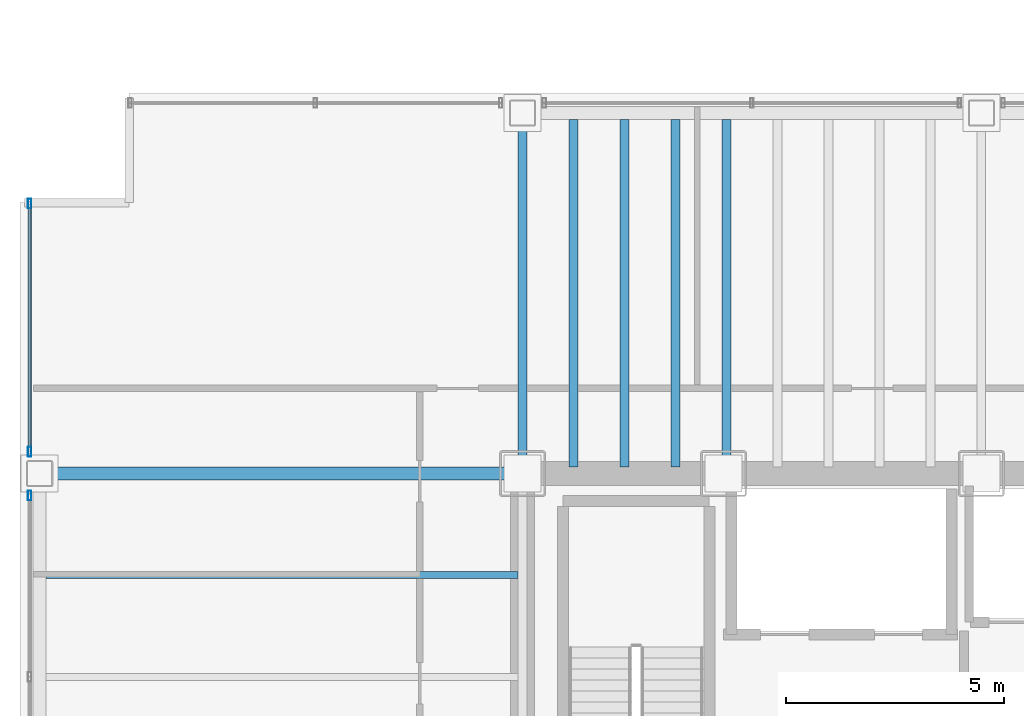
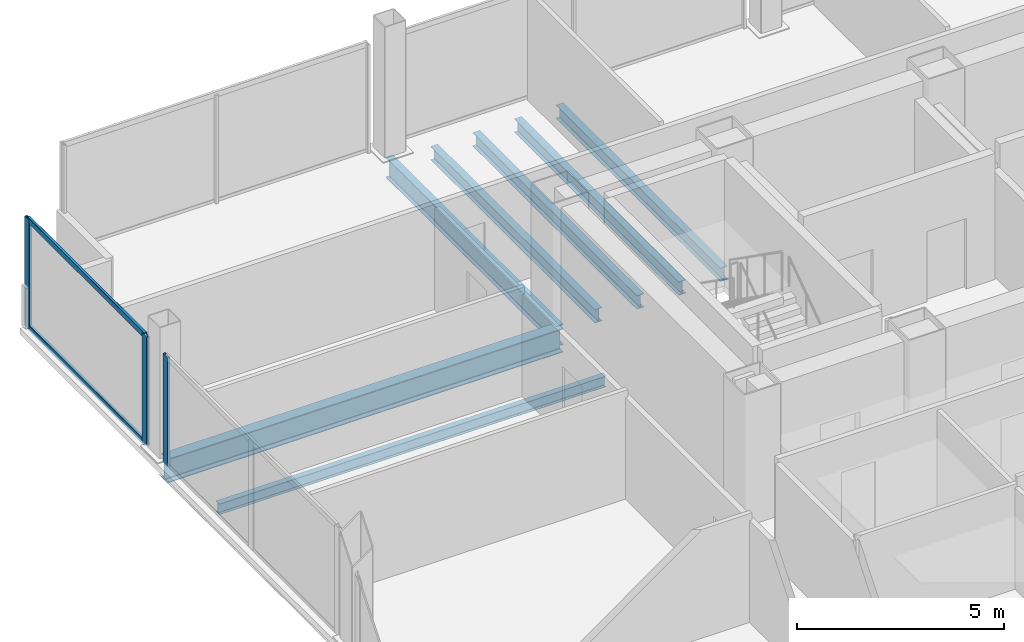
# One storey, part 15 of 30: 7 beams, 5 members, 2 elements without a shape of their own.
"""IFC4 building model written with IfcOpenShell, lengths in metres."""

from ifc_helpers import new_model, si_unit, direction, frame, origin, origin_2d, place, context, subcontext, project, spatial, hollow_rectangle, i_section, extrude, material, material_profile, profile_set, type_object, element, aggregate, save


model = new_model("IFC4")

# Units and contexts
model_context = context("Model", 3, precision=1e-05, world=origin(), true_north=direction((0.0, 1.0)))
body_context = subcontext(model_context, "Body", "Model", "MODEL_VIEW")
ifc_project = project(units=[si_unit("LENGTHUNIT", "METRE"), si_unit("AREAUNIT", "SQUARE_METRE"), si_unit("VOLUMEUNIT", "CUBIC_METRE"), si_unit("PLANEANGLEUNIT", "RADIAN"), si_unit("MASSUNIT", "GRAM", prefix="KILO")], contexts=[model_context])

# Site, building, storey
site_placement = place(None, origin())
site = spatial("IfcSite", under=ifc_project, at=site_placement, CompositionType="ELEMENT")
building_placement = place(site_placement, origin())
building = spatial("IfcBuilding", under=site, at=building_placement, Name="Noeulbin Bourse Tower", CompositionType="ELEMENT")
storey_placement = place(building_placement, frame((0.0, 0.0, 26.5)))
storey = spatial("IfcBuildingStorey", under=building, at=storey_placement, Name="L06", CompositionType="ELEMENT", Elevation=26.5)

# Beams
ifc_material_1 = material(Name="Steel S355", Category="steel")
ifc_material_profile_1 = material_profile(ifc_material_1, i_section(OverallWidth=0.199951171875, OverallDepth=0.60009765625, WebThickness=0.010986328125, FlangeThickness=0.01708984375, FilletRadius=0.02197265625, at=origin_2d()), Name="H-600x200x11x17", Category="LoadBearing")
ifc_profile_set_1 = profile_set([ifc_material_profile_1], Name="Steel S355")
beam_type_1 = type_object("IfcBeamType", Name="BM-GRD-600", PredefinedType="USERDEFINED", material=ifc_profile_set_1)
beam_1_placement = place(storey_placement, frame((13.5, 38.300048828125, -0.47998046875), z_axis=(0.0, 1.0, 0.0), x_axis=(-1.0, 0.0, 0.0)))
element("IfcBeam", 1, at=beam_1_placement, inside=storey, type_object=beam_type_1, Name="Tower Primary Girder NS L06-1.4", ObjectType="GIRDER", PredefinedType="USERDEFINED", context=body_context, shape_type="SweptSolid", body=[
    extrude(i_section(OverallWidth=0.199951171875, OverallDepth=0.60009765625, WebThickness=0.010986328125, FlangeThickness=0.01708984375, FilletRadius=0.02197265625, at=origin_2d()), origin(), (0.0, 0.0, 1.0), 8.25),
])
ifc_material_profile_2 = material_profile(ifc_material_1, i_section(OverallWidth=0.300048828125, OverallDepth=0.699951171875, WebThickness=0.012939453125, FlangeThickness=0.02392578125, FilletRadius=0.02392578125, at=origin_2d()), Name="H-700x300x13x24", Category="LoadBearing")
ifc_profile_set_2 = profile_set([ifc_material_profile_2], Name="Steel S355")
beam_type_2 = type_object("IfcBeamType", Name="BM-GRD-700", PredefinedType="USERDEFINED", material=ifc_profile_set_2)
beam_2_placement = place(storey_placement, frame((2.449951171875, 38.300048828125, -0.530029296875), z_axis=(1.0, 0.0, 0.0), x_axis=(0.0, 1.0, 0.0)))
element("IfcBeam", 2, at=beam_2_placement, inside=storey, type_object=beam_type_2, Name="Tower Primary Girder EW L06-3.1", ObjectType="GIRDER", PredefinedType="USERDEFINED", context=body_context, shape_type="SweptSolid", body=[
    extrude(i_section(OverallWidth=0.300048828125, OverallDepth=0.699951171875, WebThickness=0.012939453125, FlangeThickness=0.02392578125, FilletRadius=0.02392578125, at=origin_2d()), origin(), (0.0, 0.0, 1.0), 11.050048828125),
])
ifc_material_profile_3 = material_profile(ifc_material_1, i_section(OverallWidth=0.159912109375, OverallDepth=0.320068359375, WebThickness=0.006591796875, FlangeThickness=0.010009765625, FilletRadius=0.012939453125, at=origin_2d()), Name="H-320x160x6.5x10", Category="LoadBearing")
ifc_profile_set_3 = profile_set([ifc_material_profile_3], Name="Steel S355")
beam_type_3 = type_object("IfcBeamType", Name="BM-JST-320", PredefinedType="JOIST", material=ifc_profile_set_3)
beam_3_placement = place(storey_placement, frame((2.60009765625, 35.97509765625, -0.340087890625), z_axis=(1.0, 0.0, 0.0), x_axis=(0.0, 1.0, 0.0)))
element("IfcBeam", 3, at=beam_3_placement, inside=storey, type_object=beam_type_3, Name="Wing Composite Joist L06-W74", PredefinedType="JOIST", context=body_context, shape_type="SweptSolid", body=[
    extrude(i_section(OverallWidth=0.159912109375, OverallDepth=0.320068359375, WebThickness=0.006591796875, FlangeThickness=0.010009765625, FilletRadius=0.012939453125, at=origin_2d()), origin(), (0.0, 0.0, 1.0), 10.7998046875),
])
ifc_material_profile_4 = material_profile(ifc_material_1, i_section(OverallWidth=0.199951171875, OverallDepth=0.39990234375, WebThickness=0.008056640625, FlangeThickness=0.012939453125, FilletRadius=0.01611328125, at=origin_2d()), Name="H-400x200x8x13", Category="LoadBearing")
ifc_profile_set_4 = profile_set([ifc_material_profile_4], Name="Steel S355")
beam_type_4 = type_object("IfcBeamType", Name="BM-SEC-400", PredefinedType="BEAM", material=ifc_profile_set_4)
for number, where, z_axis, x_axis, name in (
    (4, (14.666748046875, 38.449951171875, -0.3798828125), (0.0, 1.0, 0.0), (-1.0, 0.0, 0.0), "Tower Composite Joist L06-03"),
    (5, (15.833251953125, 38.449951171875, -0.3798828125), (0.0, 1.0, 0.0), (-1.0, 0.0, 0.0), "Tower Composite Joist L06-06"),
    (6, (17.0, 38.449951171875, -0.3798828125), (0.0, 1.0, 0.0), (-1.0, 0.0, 0.0), "Tower Composite Joist L06-09"),
    (7, (18.166748046875, 38.449951171875, -0.3798828125), (0.0, 1.0, 0.0), (-1.0, 0.0, 0.0), "Tower Composite Joist L06-11"),
):
    element("IfcBeam", number, at=place(storey_placement, frame(where, z_axis=z_axis, x_axis=x_axis)), inside=storey, type_object=beam_type_4, Name=name, PredefinedType="BEAM", context=body_context, shape_type="SweptSolid", body=[
        extrude(i_section(OverallWidth=0.199951171875, OverallDepth=0.39990234375, WebThickness=0.008056640625, FlangeThickness=0.012939453125, FilletRadius=0.01611328125, at=origin_2d()), origin(), (0.0, 0.0, 1.0), 7.949951171875),
    ])

# Curtain wall, member
ifc_material_2 = material(Name="Dark Solar-Control Double Glazing", Category="glass")
curtain_wall_type = type_object("IfcCurtainWallType", Name="CW-SYS-2", PredefinedType="NOTDEFINED", material=ifc_material_2)
curtain_wall_1_placement = place(storey_placement, origin())
curtain_wall_1 = element("IfcCurtainWall", 8, at=curtain_wall_1_placement, inside=storey, type_object=curtain_wall_type, Name="Unitised Curtain Wall CW-L06-W-S3", PredefinedType="NOTDEFINED")
ifc_material_3 = material(Name="Anodised Aluminium 6063-T6", Category="aluminium")
ifc_material_profile_5 = material_profile(ifc_material_3, hollow_rectangle(XDim=0.074951171875, YDim=0.219970703125, WallThickness=0.0048828125, InnerFilletRadius=0.00244140625, OuterFilletRadius=0.0048828125, at=origin_2d()), Name="ALU-MULL-75x220x5", Category="LoadBearing")
ifc_profile_set_5 = profile_set([ifc_material_profile_5], Name="Anodised Aluminium 6063-T6")
member_type_1 = type_object("IfcMemberType", Name="CW-SYS-2-MUL", PredefinedType="MULLION", material=ifc_profile_set_5)
member_1_placement = place(storey_placement, frame((2.219970703125, 37.800048828125, -0.02001953125), z_axis=(0.0, 0.0, 1.0), x_axis=(1.0, 0.0, 0.0)))
member_1 = element("IfcMember", 9, at=member_1_placement, type_object=member_type_1, Name="Curtain Wall Mullion CW-L06-W-S3-M02", PredefinedType="MULLION", context=body_context, shape_type="SweptSolid", body=[
    extrude(hollow_rectangle(XDim=0.074951171875, YDim=0.219970703125, WallThickness=0.0048828125, InnerFilletRadius=0.00244140625, OuterFilletRadius=0.0048828125, at=origin_2d()), origin(), (0.0, 0.0, 1.0), 3.219970703125),
])
aggregate(curtain_wall_1, [member_1])

# Curtain wall, members
curtain_wall_2_placement = place(storey_placement, origin())
curtain_wall_2 = element("IfcCurtainWall", 10, at=curtain_wall_2_placement, inside=storey, type_object=curtain_wall_type, Name="Unitised Curtain Wall CW-L06-W-S4", PredefinedType="NOTDEFINED")
member_2_placement = place(storey_placement, frame((2.219970703125, 38.800048828125, -0.02001953125), z_axis=(0.0, 0.0, 1.0), x_axis=(1.0, 0.0, 0.0)))
member_2 = element("IfcMember", 11, at=member_2_placement, type_object=member_type_1, Name="Curtain Wall Mullion CW-L06-W-S4-M00", PredefinedType="MULLION", context=body_context, shape_type="SweptSolid", body=[
    extrude(hollow_rectangle(XDim=0.074951171875, YDim=0.219970703125, WallThickness=0.0048828125, InnerFilletRadius=0.00244140625, OuterFilletRadius=0.0048828125, at=origin_2d()), origin(), (0.0, 0.0, 1.0), 3.219970703125),
])
member_3_placement = place(storey_placement, frame((2.219970703125, 44.47998046875, -0.02001953125), z_axis=(0.0, 0.0, 1.0), x_axis=(1.0, 0.0, 0.0)))
member_3 = element("IfcMember", 12, at=member_3_placement, type_object=member_type_1, Name="Curtain Wall Mullion CW-L06-W-S4-M01", PredefinedType="MULLION", context=body_context, shape_type="SweptSolid", body=[
    extrude(hollow_rectangle(XDim=0.074951171875, YDim=0.219970703125, WallThickness=0.0048828125, InnerFilletRadius=0.00244140625, OuterFilletRadius=0.0048828125, at=origin_2d()), origin(), (0.0, 0.0, 1.0), 3.219970703125),
])
ifc_material_profile_6 = material_profile(ifc_material_3, hollow_rectangle(XDim=0.074951171875, YDim=0.159912109375, WallThickness=0.0048828125, InnerFilletRadius=0.00244140625, OuterFilletRadius=0.0048828125, at=origin_2d()), Name="ALU-TRAN-75x160x5", Category="LoadBearing")
ifc_profile_set_6 = profile_set([ifc_material_profile_6], Name="Anodised Aluminium 6063-T6")
member_type_2 = type_object("IfcMemberType", Name="CW-SYS-2-TRN", PredefinedType="USERDEFINED", material=ifc_profile_set_6)
member_4_placement = place(storey_placement, frame((2.219970703125, 38.81005859375, 0.010009765625), z_axis=(0.0, 1.0, 0.0), x_axis=(-1.0, 0.0, 0.0)))
member_4 = element("IfcMember", 13, at=member_4_placement, type_object=member_type_2, Name="Curtain Wall Transom CW-L06-W-S4-T00", ObjectType="TRANSOM", PredefinedType="USERDEFINED", context=body_context, shape_type="SweptSolid", body=[
    extrude(hollow_rectangle(XDim=0.074951171875, YDim=0.159912109375, WallThickness=0.0048828125, InnerFilletRadius=0.00244140625, OuterFilletRadius=0.0048828125, at=origin_2d()), origin(), (0.0, 0.0, 1.0), 5.659912109375),
])
member_5_placement = place(storey_placement, frame((2.219970703125, 38.81005859375, 3.169921875), z_axis=(0.0, 1.0, 0.0), x_axis=(-1.0, 0.0, 0.0)))
member_5 = element("IfcMember", 14, at=member_5_placement, type_object=member_type_2, Name="Curtain Wall Transom CW-L06-W-S4-T01", ObjectType="TRANSOM", PredefinedType="USERDEFINED", context=body_context, shape_type="SweptSolid", body=[
    extrude(hollow_rectangle(XDim=0.074951171875, YDim=0.159912109375, WallThickness=0.0048828125, InnerFilletRadius=0.00244140625, OuterFilletRadius=0.0048828125, at=origin_2d()), origin(), (0.0, 0.0, 1.0), 5.659912109375),
])
aggregate(curtain_wall_2, [member_2, member_3, member_4, member_5])

save(model, "model.ifc")
